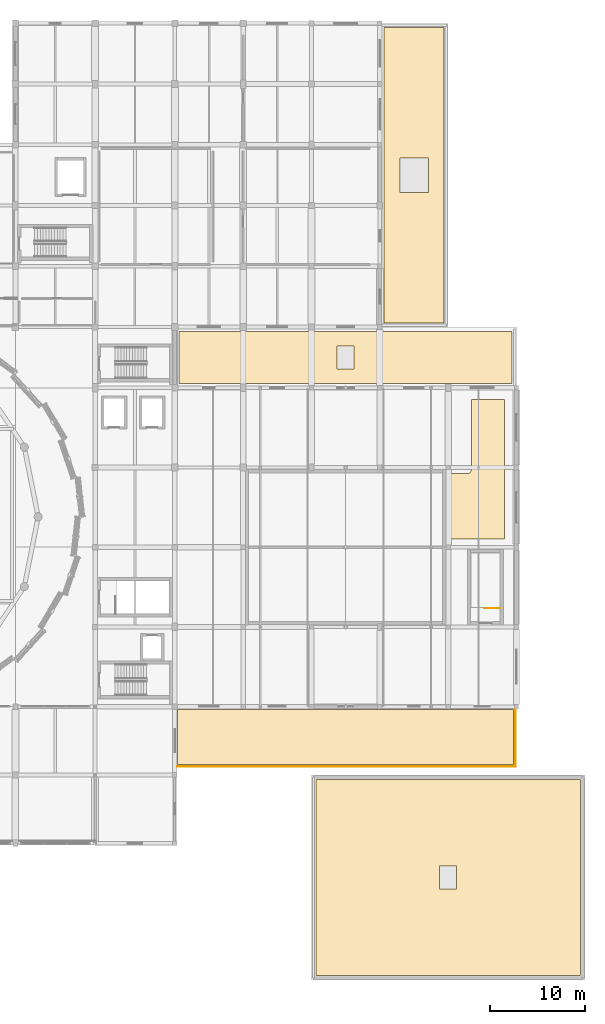
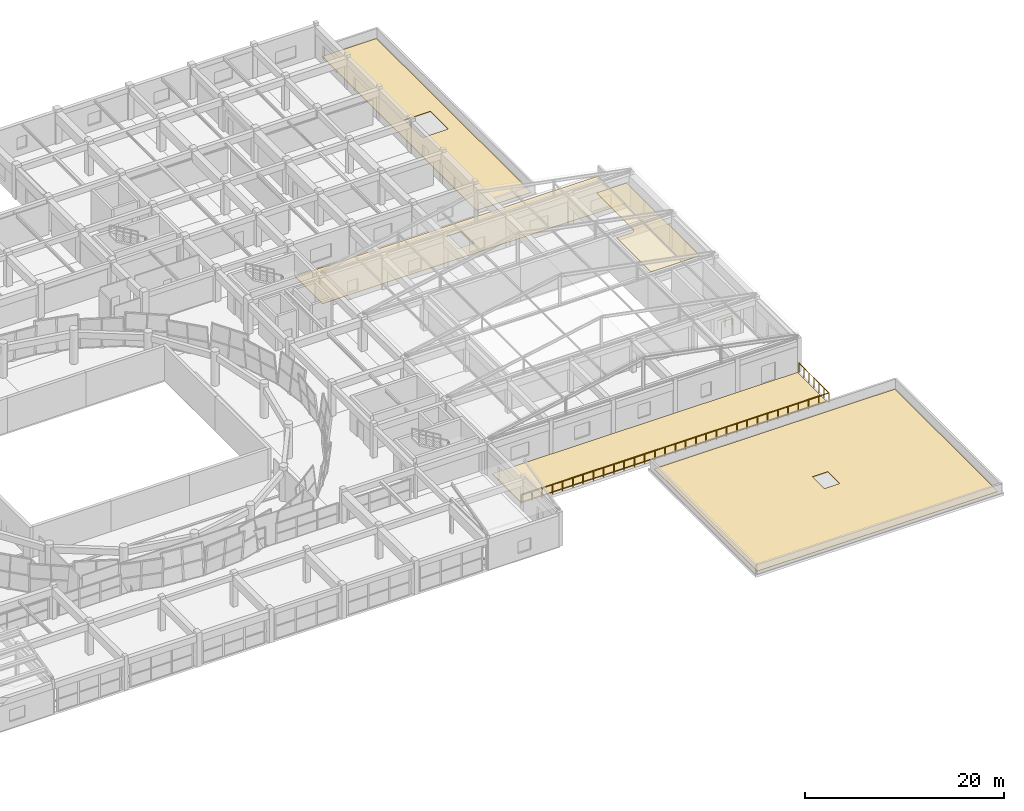
# One storey, part 74 of 74: 5 coverings, 2 railings.
"""IFC4 building model written with IfcOpenShell, lengths in metres."""

from ifc_helpers import new_model, si_unit, direction, frame, origin, origin_2d, place, context, subcontext, project, spatial, polyline, circle, outline, extrude, material, layer, layer_set, type_object, element, save


model = new_model("IFC4")

# Units and contexts
model_context = context("Model", 3, precision=1e-05, world=origin(), true_north=direction((0.0, 1.0)))
body_context = subcontext(model_context, "Body", "Model", "MODEL_VIEW")
ifc_project = project(units=[si_unit("LENGTHUNIT", "METRE"), si_unit("AREAUNIT", "SQUARE_METRE"), si_unit("VOLUMEUNIT", "CUBIC_METRE"), si_unit("PLANEANGLEUNIT", "RADIAN"), si_unit("MASSUNIT", "GRAM", prefix="KILO")], contexts=[model_context])

# Site, building, storey
site_placement = place(None, origin())
site = spatial("IfcSite", under=ifc_project, at=site_placement, CompositionType="ELEMENT")
building_placement = place(site_placement, origin())
building = spatial("IfcBuilding", under=site, at=building_placement, Name="Korsvaeld Concert Hall", CompositionType="ELEMENT")
storey_placement = place(building_placement, frame((0.0, 0.0, 9.0)))
storey = spatial("IfcBuildingStorey", under=building, at=storey_placement, Name="L02", CompositionType="ELEMENT", Elevation=9.0)

# Coverings
ifc_material_1 = material(Name="Suspended sculpted European oak acoustic ceiling")
ifc_layer_1 = layer(ifc_material_1, 0.044921875)
ifc_layer_set_1 = layer_set([ifc_layer_1], Name="Suspended sculpted European oak acoustic ceiling")
covering_type_1 = type_object("IfcCoveringType", Name="COV-CEIL-OAK", PredefinedType="CEILING", material=ifc_layer_set_1)
covering_1_placement = place(storey_placement, frame((0.0, 0.0, 3.8349609375)))
element("IfcCovering", 1, at=covering_1_placement, inside=storey, type_object=covering_type_1, Name="Acoustic oak reflector ceiling L02-06", PredefinedType="CEILING", context=body_context, shape_type="SweptSolid", body=[
    extrude(outline(polyline([(152.35009765625, 75.550048828125), (152.35009765625, 60.85009765625), (146.64990234375, 60.85009765625), (146.64990234375, 67.75), (148.39990234375, 67.75), (148.444091796875, 67.752197265625), (148.48779296875, 67.758544921875), (148.530517578125, 67.769287109375), (148.572265625, 67.7841796875), (148.612060546875, 67.802978515625), (148.64990234375, 67.82568359375), (148.685546875, 67.85205078125), (148.71826171875, 67.8818359375), (148.747802734375, 67.91455078125), (148.774169921875, 67.949951171875), (148.796875, 67.98779296875), (148.815673828125, 68.02783203125), (148.83056640625, 68.0693359375), (148.84130859375, 68.1123046875), (148.847900390625, 68.156005859375), (148.85009765625, 68.199951171875), (148.85009765625, 75.550048828125), (152.35009765625, 75.550048828125)])), origin(), (0.0, 0.0, 1.0), 0.044921875),
])
ifc_material_2 = material(Name="Patinated Nordic standing-seam copper roofing")
ifc_layer_2 = layer(ifc_material_2, 0.06005859375)
ifc_layer_set_2 = layer_set([ifc_layer_2], Name="Patinated Nordic standing-seam copper roofing")
covering_type_2 = type_object("IfcCoveringType", Name="COV-ROOF-COPPER", PredefinedType="ROOFING", material=ifc_layer_set_2)
covering_2_placement = place(storey_placement, origin())
element("IfcCovering", 2, at=covering_2_placement, inside=storey, type_object=covering_type_2, Name="Patinated Nordic copper roof covering SLB-ROOF_L02_SE", PredefinedType="ROOFING", context=body_context, shape_type="SweptSolid", body=[
    extrude(outline(polyline([(132.449951171875, 14.85009765625), (132.449951171875, 35.550048828125), (160.35009765625, 35.550048828125), (160.35009765625, 14.85009765625), (132.449951171875, 14.85009765625)]), holes=[polyline([(145.5, 24.0), (147.300048828125, 24.0), (147.300048828125, 26.39990234375), (145.5, 26.39990234375), (145.5, 24.0)])]), origin(), (0.0, 0.0, 1.0), 0.06005859375),
])
covering_3_placement = place(storey_placement, origin())
element("IfcCovering", 3, at=covering_3_placement, inside=storey, type_object=covering_type_2, Name="Patinated Nordic copper roof covering SLB-ROOF_L02_NE", PredefinedType="ROOFING", context=body_context, shape_type="SweptSolid", body=[
    extrude(outline(polyline([(139.64990234375, 83.64990234375), (139.64990234375, 114.75), (145.949951171875, 114.75), (145.949951171875, 83.64990234375), (139.64990234375, 83.64990234375)]), holes=[polyline([(141.300048828125, 97.39990234375), (144.300048828125, 97.39990234375), (144.300048828125, 101.0), (141.300048828125, 101.0), (141.300048828125, 97.39990234375)])]), origin(), (0.0, 0.0, 1.0), 0.06005859375),
])
covering_4_placement = place(storey_placement, origin())
element("IfcCovering", 4, at=covering_4_placement, inside=storey, type_object=covering_type_2, Name="Patinated Nordic copper roof covering SLB-ROOF_L02_V2N", PredefinedType="ROOFING", context=body_context, shape_type="SweptSolid", body=[
    extrude(outline(polyline([(118.050048828125, 77.25), (118.050048828125, 82.75), (153.14990234375, 82.75), (153.14990234375, 77.25), (118.050048828125, 77.25)]), holes=[polyline([(134.699951171875, 78.800048828125), (136.5, 78.800048828125), (136.5, 81.199951171875), (134.699951171875, 81.199951171875), (134.699951171875, 78.800048828125)])]), origin(), (0.0, 0.0, 1.0), 0.06005859375),
])
ifc_material_3 = material(Name="Mughal-garden sedum planted green roof substrate")
ifc_layer_3 = layer(ifc_material_3, 0.1201171875)
ifc_layer_set_3 = layer_set([ifc_layer_3], Name="Mughal-garden sedum planted green roof substrate")
covering_type_3 = type_object("IfcCoveringType", Name="COV-ROOF-GREEN", PredefinedType="ROOFING", material=ifc_layer_set_3)
covering_5_placement = place(storey_placement, origin())
element("IfcCovering", 5, at=covering_5_placement, inside=storey, type_object=covering_type_3, Name="Mughal-garden green roof planting TER_L02_E", PredefinedType="ROOFING", context=body_context, shape_type="SweptSolid", body=[
    extrude(outline(polyline([(153.300048828125, 37.10009765625), (153.300048828125, 42.89990234375), (117.89990234375, 42.89990234375), (117.89990234375, 37.10009765625), (153.300048828125, 37.10009765625)])), origin(), (0.0, 0.0, 1.0), 0.1201171875),
])

# Railings
ifc_material_4 = material(Name="Powder-coated steel and bronze stair guardrail", Category="steel")
railing_type_1 = type_object("IfcRailingType", Name="RL-STAIR-GUARD-120", PredefinedType="GUARDRAIL", material=ifc_material_4)
railing_1_placement = place(storey_placement, frame((151.8701171875, 53.570068359375, 0.0)))
element("IfcRailing", 6, at=railing_1_placement, inside=storey, type_object=railing_type_1, Name="L02 ST-F4 top well guard 1", PredefinedType="GUARDRAIL", context=body_context, shape_type="SweptSolid", body=[
    extrude(circle(Radius=0.02392578125, at=origin_2d()), frame((0.0, 0.0, 1.076171875), z_axis=(-1.0, 0.0, 0.0), x_axis=(0.0, -1.0, 0.0)), (0.0, 0.0, 1.0), 1.650146484375),
    extrude(circle(Radius=0.02099609375, at=origin_2d()), origin(), (0.0, 0.0, 1.0), 1.052001953125),
    extrude(circle(Radius=0.02099609375, at=origin_2d()), frame((-0.8251953125, 0.0, 0.0)), (0.0, 0.0, 1.0), 1.052001953125),
    extrude(circle(Radius=0.02099609375, at=origin_2d()), frame((-1.650146484375, 0.0, 0.0)), (0.0, 0.0, 1.0), 1.052001953125),
])
ifc_material_5 = material(Name="Anodised architectural bronze guardrail")
railing_type_2 = type_object("IfcRailingType", Name="RL-TERR-GUARD-120", PredefinedType="GUARDRAIL", material=ifc_material_5)
railing_2_placement = place(storey_placement, frame((117.860107421875, 36.89990234375, 0.0)))
element("IfcRailing", 7, at=railing_2_placement, inside=storey, type_object=railing_type_2, Name="Planted terrace bronze guardrail TER_L02_E", PredefinedType="GUARDRAIL", context=body_context, shape_type="SweptSolid", body=[
    extrude(circle(Radius=0.02392578125, at=origin_2d()), frame((0.0, 0.0, 1.17578125), z_axis=(1.0, 0.0, 0.0), x_axis=(0.0, 1.0, 0.0)), (0.0, 0.0, 1.0), 35.639892578125),
    extrude(circle(Radius=0.02392578125, at=origin_2d()), frame((35.639892578125, 0.0, 1.17578125), z_axis=(0.0, 1.0, 0.0), x_axis=(-1.0, 0.0, 0.0)), (0.0, 0.0, 1.0), 6.0400390625),
    extrude(circle(Radius=0.02099609375, at=origin_2d()), origin(), (0.0, 0.0, 1.0), 1.15185546875),
    extrude(circle(Radius=0.02099609375, at=origin_2d()), frame((1.18798828125, 0.0, 0.0)), (0.0, 0.0, 1.0), 1.15185546875),
    extrude(circle(Radius=0.02099609375, at=origin_2d()), frame((2.3759765625, 0.0, 0.0)), (0.0, 0.0, 1.0), 1.15185546875),
    extrude(circle(Radius=0.02099609375, at=origin_2d()), frame((3.56396484375, 0.0, 0.0)), (0.0, 0.0, 1.0), 1.15185546875),
    extrude(circle(Radius=0.02099609375, at=origin_2d()), frame((4.751953125, 0.0, 0.0)), (0.0, 0.0, 1.0), 1.15185546875),
    extrude(circle(Radius=0.02099609375, at=origin_2d()), frame((5.93994140625, 0.0, 0.0)), (0.0, 0.0, 1.0), 1.15185546875),
    extrude(circle(Radius=0.02099609375, at=origin_2d()), frame((7.1279296875, 0.0, 0.0)), (0.0, 0.0, 1.0), 1.15185546875),
    extrude(circle(Radius=0.02099609375, at=origin_2d()), frame((8.31591796875, 0.0, 0.0)), (0.0, 0.0, 1.0), 1.15185546875),
    extrude(circle(Radius=0.02099609375, at=origin_2d()), frame((9.50390625, 0.0, 0.0)), (0.0, 0.0, 1.0), 1.15185546875),
    extrude(circle(Radius=0.02099609375, at=origin_2d()), frame((10.69189453125, 0.0, 0.0)), (0.0, 0.0, 1.0), 1.15185546875),
    extrude(circle(Radius=0.02099609375, at=origin_2d()), frame((11.8798828125, 0.0, 0.0)), (0.0, 0.0, 1.0), 1.15185546875),
    extrude(circle(Radius=0.02099609375, at=origin_2d()), frame((13.06787109375, 0.0, 0.0)), (0.0, 0.0, 1.0), 1.15185546875),
    extrude(circle(Radius=0.02099609375, at=origin_2d()), frame((14.255859375, 0.0, 0.0)), (0.0, 0.0, 1.0), 1.15185546875),
    extrude(circle(Radius=0.02099609375, at=origin_2d()), frame((15.44384765625, 0.0, 0.0)), (0.0, 0.0, 1.0), 1.15185546875),
    extrude(circle(Radius=0.02099609375, at=origin_2d()), frame((16.6318359375, 0.0, 0.0)), (0.0, 0.0, 1.0), 1.15185546875),
    extrude(circle(Radius=0.02099609375, at=origin_2d()), frame((17.81982421875, 0.0, 0.0)), (0.0, 0.0, 1.0), 1.15185546875),
    extrude(circle(Radius=0.02099609375, at=origin_2d()), frame((19.008056640625, 0.0, 0.0)), (0.0, 0.0, 1.0), 1.15185546875),
    extrude(circle(Radius=0.02099609375, at=origin_2d()), frame((20.196044921875, 0.0, 0.0)), (0.0, 0.0, 1.0), 1.15185546875),
    extrude(circle(Radius=0.02099609375, at=origin_2d()), frame((21.384033203125, 0.0, 0.0)), (0.0, 0.0, 1.0), 1.15185546875),
    extrude(circle(Radius=0.02099609375, at=origin_2d()), frame((22.572021484375, 0.0, 0.0)), (0.0, 0.0, 1.0), 1.15185546875),
    extrude(circle(Radius=0.02099609375, at=origin_2d()), frame((23.760009765625, 0.0, 0.0)), (0.0, 0.0, 1.0), 1.15185546875),
    extrude(circle(Radius=0.02099609375, at=origin_2d()), frame((24.947998046875, 0.0, 0.0)), (0.0, 0.0, 1.0), 1.15185546875),
    extrude(circle(Radius=0.02099609375, at=origin_2d()), frame((26.135986328125, 0.0, 0.0)), (0.0, 0.0, 1.0), 1.15185546875),
    extrude(circle(Radius=0.02099609375, at=origin_2d()), frame((27.323974609375, 0.0, 0.0)), (0.0, 0.0, 1.0), 1.15185546875),
    extrude(circle(Radius=0.02099609375, at=origin_2d()), frame((28.511962890625, 0.0, 0.0)), (0.0, 0.0, 1.0), 1.15185546875),
    extrude(circle(Radius=0.02099609375, at=origin_2d()), frame((29.699951171875, 0.0, 0.0)), (0.0, 0.0, 1.0), 1.15185546875),
    extrude(circle(Radius=0.02099609375, at=origin_2d()), frame((30.887939453125, 0.0, 0.0)), (0.0, 0.0, 1.0), 1.15185546875),
    extrude(circle(Radius=0.02099609375, at=origin_2d()), frame((32.075927734375, 0.0, 0.0)), (0.0, 0.0, 1.0), 1.15185546875),
    extrude(circle(Radius=0.02099609375, at=origin_2d()), frame((33.263916015625, 0.0, 0.0)), (0.0, 0.0, 1.0), 1.15185546875),
    extrude(circle(Radius=0.02099609375, at=origin_2d()), frame((34.451904296875, 0.0, 0.0)), (0.0, 0.0, 1.0), 1.15185546875),
    extrude(circle(Radius=0.02099609375, at=origin_2d()), frame((35.639892578125, 0.0, 0.0)), (0.0, 0.0, 1.0), 1.15185546875),
    extrude(circle(Radius=0.02099609375, at=origin_2d()), frame((35.639892578125, 1.006591796875, 0.0)), (0.0, 0.0, 1.0), 1.15185546875),
    extrude(circle(Radius=0.02099609375, at=origin_2d()), frame((35.639892578125, 2.013427734375, 0.0)), (0.0, 0.0, 1.0), 1.15185546875),
    extrude(circle(Radius=0.02099609375, at=origin_2d()), frame((35.639892578125, 3.02001953125, 0.0)), (0.0, 0.0, 1.0), 1.15185546875),
    extrude(circle(Radius=0.02099609375, at=origin_2d()), frame((35.639892578125, 4.026611328125, 0.0)), (0.0, 0.0, 1.0), 1.15185546875),
    extrude(circle(Radius=0.02099609375, at=origin_2d()), frame((35.639892578125, 5.033447265625, 0.0)), (0.0, 0.0, 1.0), 1.15185546875),
    extrude(circle(Radius=0.02099609375, at=origin_2d()), frame((35.639892578125, 6.0400390625, 0.0)), (0.0, 0.0, 1.0), 1.15185546875),
])

save(model, "model.ifc")
